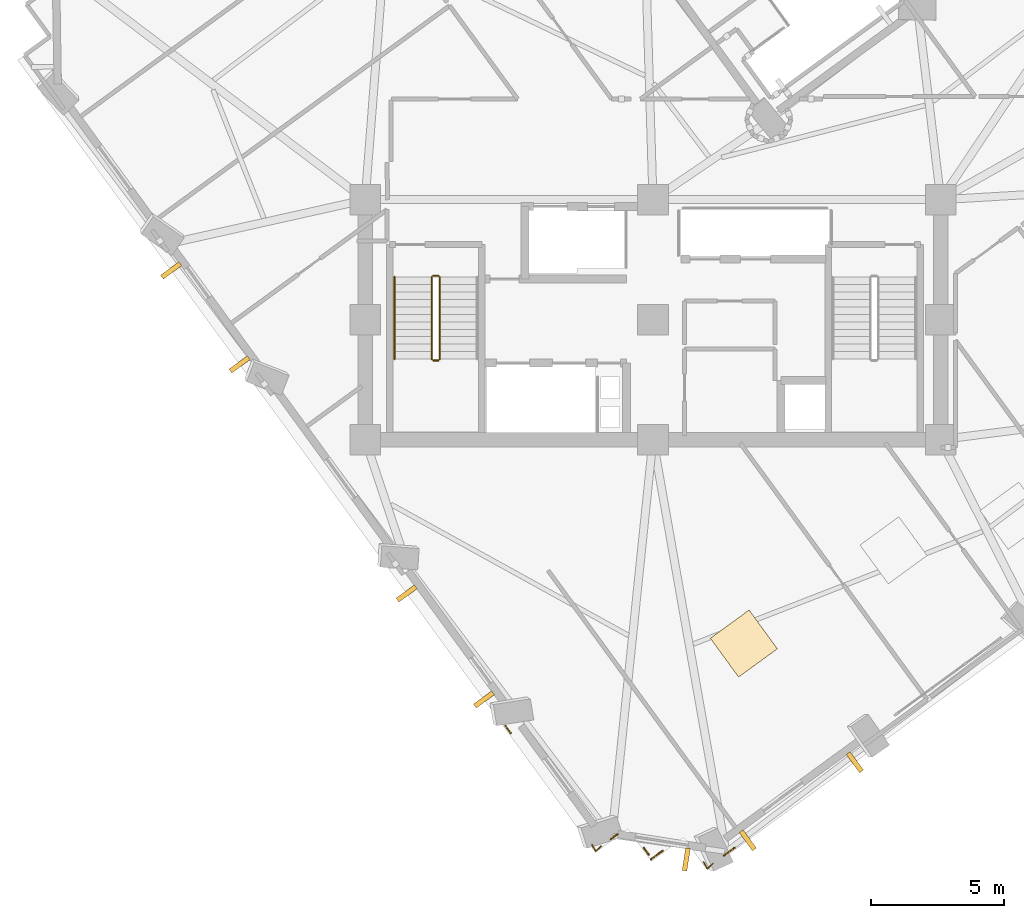
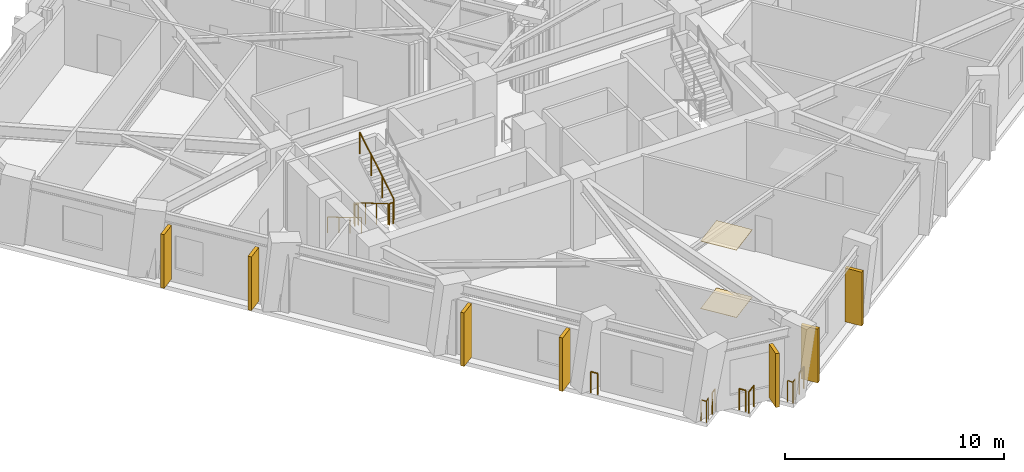
# One storey, part 10 of 14: 12 railings, 7 shading devices, 2 coverings.
"""IFC4 building model written with IfcOpenShell, lengths in metres."""

from ifc_helpers import new_model, si_unit, direction, frame, origin, origin_2d, place, context, subcontext, project, spatial, rectangle, circle, extrude, material, layer, layer_set, type_object, element, save


model = new_model("IFC4")

# Units and contexts
model_context = context("Model", 3, precision=1e-05, world=origin(), true_north=direction((0.0, 1.0)))
body_context = subcontext(model_context, "Body", "Model", "MODEL_VIEW")
ifc_project = project(units=[si_unit("LENGTHUNIT", "METRE"), si_unit("AREAUNIT", "SQUARE_METRE"), si_unit("VOLUMEUNIT", "CUBIC_METRE"), si_unit("PLANEANGLEUNIT", "RADIAN"), si_unit("MASSUNIT", "GRAM", prefix="KILO")], contexts=[model_context])

# Site, building, storey
site_placement = place(None, origin())
site = spatial("IfcSite", under=ifc_project, at=site_placement, CompositionType="ELEMENT")
building_placement = place(site_placement, origin())
building = spatial("IfcBuilding", under=site, at=building_placement, Name="Gaonmaruhae Medical Tower", CompositionType="ELEMENT")
storey_placement = place(building_placement, frame((0.0, 0.0, 177.800048828125)))
storey = spatial("IfcBuildingStorey", under=building, at=storey_placement, Name="L42", CompositionType="ELEMENT", Elevation=177.800048828125)

# Coverings
ifc_material_1 = material(Name="Acoustic mineral ceiling tile", Category="finish")
ifc_layer_1 = layer(ifc_material_1, 0.02490234375)
ifc_layer_set_1 = layer_set([ifc_layer_1], Name="Acoustic mineral ceiling tile")
covering_type_1 = type_object("IfcCoveringType", Name="CLG-01 Antimicrobial Acoustic Mineral Ceiling", PredefinedType="CEILING", material=ifc_layer_set_1)
covering_1_placement = place(storey_placement, frame((28.210205078125, 0.1474609375, 3.7548828125), z_axis=(0.0, 0.0, 1.0), x_axis=(0.807989883898, 0.589196357353, 0.0)))
element("IfcCovering", 1, at=covering_1_placement, inside=storey, type_object=covering_type_1, Name="L42 Clinical Room Acoustic Ceiling 2", PredefinedType="CEILING", context=body_context, shape_type="SweptSolid", body=[
    extrude(rectangle(XDim=1.800048828125, YDim=1.800048828125, at=origin_2d()), origin(), (0.0, 0.0, 1.0), 0.02490234375),
])
ifc_material_2 = material(Name="Seamless clinical vinyl flooring", Category="finish")
ifc_layer_2 = layer(ifc_material_2, 0.014892578125)
ifc_layer_set_2 = layer_set([ifc_layer_2], Name="Seamless clinical vinyl flooring")
covering_type_2 = type_object("IfcCoveringType", Name="FLR-01 Seamless Clinical Antistatic Vinyl Flooring", PredefinedType="FLOORING", material=ifc_layer_set_2)
covering_2_placement = place(storey_placement, frame((28.210205078125, 0.1474609375, 0.0), z_axis=(0.0, 0.0, 1.0), x_axis=(0.807989883898, 0.589196357353, 0.0)))
element("IfcCovering", 2, at=covering_2_placement, inside=storey, type_object=covering_type_2, Name="L42 Clinical Room Vinyl Flooring 2", PredefinedType="FLOORING", context=body_context, shape_type="SweptSolid", body=[
    extrude(rectangle(XDim=1.800048828125, YDim=1.800048828125, at=origin_2d()), origin(), (0.0, 0.0, 1.0), 0.014892578125),
])

# Railings
ifc_material_3 = material(Name="Stainless steel 316L and laminated safety glass", Category="steel")
ifc_layer_3 = layer(ifc_material_3, 0.080078125)
ifc_layer_set_3 = layer_set([ifc_layer_3], Name="Stainless steel 316L and laminated safety glass")
railing_type_1 = type_object("IfcRailingType", Name="GD-120 Outdoor Terrace Safety Glass & Steel Balustrade", PredefinedType="BALUSTRADE", material=ifc_layer_set_3)
railing_1_placement = place(storey_placement, frame((27.871826171875, -7.508544921875, 0.0)))
element("IfcRailing", 3, at=railing_1_placement, inside=storey, type_object=railing_type_1, Name="L42 Perimeter Slab Edge Safety Balustrade 04", PredefinedType="BALUSTRADE", context=body_context, shape_type="SweptSolid", body=[
    extrude(circle(Radius=0.02392578125, at=origin_2d()), frame((0.0, 0.0, 1.17578125), z_axis=(-0.808002862963, -0.5891785582, 0.0), x_axis=(0.5891785582, -0.808002862963, 0.0)), (0.0, 0.0, 1.0), 0.518798828125),
    extrude(circle(Radius=0.02099609375, at=origin_2d()), origin(), (0.0, 0.0, 1.0), 1.15185546875),
    extrude(circle(Radius=0.02099609375, at=origin_2d()), frame((-0.419189453125, -0.3056640625, 0.0)), (0.0, 0.0, 1.0), 1.15185546875),
])
railing_2_placement = place(storey_placement, frame((25.16552734375, -7.62548828125, 0.0)))
element("IfcRailing", 4, at=railing_2_placement, inside=storey, type_object=railing_type_1, Name="L42 Perimeter Slab Edge Safety Balustrade 05", PredefinedType="BALUSTRADE", context=body_context, shape_type="SweptSolid", body=[
    extrude(circle(Radius=0.02392578125, at=origin_2d()), frame((0.0, 0.0, 1.17578125), z_axis=(-0.807830219692, -0.589415249338, 0.0), x_axis=(0.589415249338, -0.807830219692, 0.0)), (0.0, 0.0, 1.0), 0.56005859375),
    extrude(circle(Radius=0.02099609375, at=origin_2d()), origin(), (0.0, 0.0, 1.0), 1.15185546875),
    extrude(circle(Radius=0.02099609375, at=origin_2d()), frame((-0.452392578125, -0.330078125, 0.0)), (0.0, 0.0, 1.0), 1.15185546875),
])
railing_3_placement = place(storey_placement, frame((24.6455078125, -7.778076171875, 0.0)))
element("IfcRailing", 5, at=railing_3_placement, inside=storey, type_object=railing_type_1, Name="L42 Perimeter Slab Edge Safety Balustrade 06", PredefinedType="BALUSTRADE", context=body_context, shape_type="SweptSolid", body=[
    extrude(circle(Radius=0.02392578125, at=origin_2d()), frame((0.0, 0.0, 1.17578125), z_axis=(-0.589192471465, 0.807992717522, 0.0), x_axis=(-0.807992717522, -0.589192471465, 0.0)), (0.0, 0.0, 1.0), 0.326904296875),
    extrude(circle(Radius=0.02099609375, at=origin_2d()), origin(), (0.0, 0.0, 1.0), 1.15185546875),
    extrude(circle(Radius=0.02099609375, at=origin_2d()), frame((-0.192626953125, 0.26416015625, 0.0)), (0.0, 0.0, 1.0), 1.15185546875),
])
railing_4_placement = place(storey_placement, frame((23.473876953125, -7.002685546875, 0.0)))
element("IfcRailing", 6, at=railing_4_placement, inside=storey, type_object=railing_type_1, Name="L42 Perimeter Slab Edge Safety Balustrade 07", PredefinedType="BALUSTRADE", context=body_context, shape_type="SweptSolid", body=[
    extrude(circle(Radius=0.02392578125, at=origin_2d()), frame((0.0, 0.0, 1.17578125), z_axis=(-0.807733247181, -0.589548133234, 0.0), x_axis=(0.589548133234, -0.807733247181, 0.0)), (0.0, 0.0, 1.0), 0.32666015625),
    extrude(circle(Radius=0.02099609375, at=origin_2d()), origin(), (0.0, 0.0, 1.0), 1.15185546875),
    extrude(circle(Radius=0.02099609375, at=origin_2d()), frame((-0.263916015625, -0.192626953125, 0.0)), (0.0, 0.0, 1.0), 1.15185546875),
])
railing_5_placement = place(storey_placement, frame((19.46728515625, -3.22265625, 0.0)))
element("IfcRailing", 7, at=railing_5_placement, inside=storey, type_object=railing_type_1, Name="L42 Perimeter Slab Edge Safety Balustrade 08", PredefinedType="BALUSTRADE", context=body_context, shape_type="SweptSolid", body=[
    extrude(circle(Radius=0.02392578125, at=origin_2d()), frame((0.0, 0.0, 1.17578125), z_axis=(-0.589710020222, 0.807615064279, 0.0), x_axis=(-0.807615064279, -0.589710020222, 0.0)), (0.0, 0.0, 1.0), 0.339599609375),
    extrude(circle(Radius=0.02099609375, at=origin_2d()), origin(), (0.0, 0.0, 1.0), 1.15185546875),
    extrude(circle(Radius=0.02099609375, at=origin_2d()), frame((-0.2001953125, 0.274169921875, 0.0)), (0.0, 0.0, 1.0), 1.15185546875),
])
railing_6_placement = place(storey_placement, frame((27.05126953125, -8.10693359375, 0.0)))
element("IfcRailing", 8, at=railing_6_placement, inside=storey, type_object=railing_type_1, Name="L42 Perimeter Corner Safety Balustrade 13", PredefinedType="BALUSTRADE", context=body_context, shape_type="SweptSolid", body=[
    extrude(circle(Radius=0.02392578125, at=origin_2d()), frame((0.0, 0.0, 1.17578125), z_axis=(-0.730093572336, -0.683347185283, 0.0), x_axis=(0.683347185283, -0.730093572336, 0.0)), (0.0, 0.0, 1.0), 0.287353515625),
    extrude(circle(Radius=0.02392578125, at=origin_2d()), frame((-0.209716796875, -0.1962890625, 1.17578125), z_axis=(-0.486220207732, 0.873836317392, 0.0), x_axis=(-0.873836317392, -0.486220207732, 0.0)), (0.0, 0.0, 1.0), 0.287109375),
    extrude(circle(Radius=0.02099609375, at=origin_2d()), origin(), (0.0, 0.0, 1.0), 1.15185546875),
    extrude(circle(Radius=0.02099609375, at=origin_2d()), frame((-0.209716796875, -0.1962890625, 0.0)), (0.0, 0.0, 1.0), 1.15185546875),
    extrude(circle(Radius=0.02099609375, at=origin_2d()), frame((-0.349365234375, 0.0546875, 0.0)), (0.0, 0.0, 1.0), 1.15185546875),
])
railing_7_placement = place(storey_placement, frame((22.859619140625, -7.45068359375, 0.0)))
element("IfcRailing", 9, at=railing_7_placement, inside=storey, type_object=railing_type_1, Name="L42 Perimeter Corner Safety Balustrade 14", PredefinedType="BALUSTRADE", context=body_context, shape_type="SweptSolid", body=[
    extrude(circle(Radius=0.02392578125, at=origin_2d()), frame((0.0, 0.0, 1.17578125), z_axis=(-0.730120754726, -0.683318142243, 0.0), x_axis=(0.683318142243, -0.730120754726, 0.0)), (0.0, 0.0, 1.0), 0.286865234375),
    extrude(circle(Radius=0.02392578125, at=origin_2d()), frame((-0.20947265625, -0.196044921875, 1.17578125), z_axis=(-0.486581594932, 0.873635136355, 0.0), x_axis=(-0.873635136355, -0.486581594932, 0.0)), (0.0, 0.0, 1.0), 0.287109375),
    extrude(circle(Radius=0.02099609375, at=origin_2d()), origin(), (0.0, 0.0, 1.0), 1.15185546875),
    extrude(circle(Radius=0.02099609375, at=origin_2d()), frame((-0.20947265625, -0.196044921875, 0.0)), (0.0, 0.0, 1.0), 1.15185546875),
    extrude(circle(Radius=0.02099609375, at=origin_2d()), frame((-0.34912109375, 0.0546875, 0.0)), (0.0, 0.0, 1.0), 1.15185546875),
])
ifc_material_4 = material(Name="Stainless steel 304 handrail", Category="steel")
railing_type_2 = type_object("IfcRailingType", Name="HR-092 Continuous Stainless Steel Stair Handrail", PredefinedType="HANDRAIL", material=ifc_material_4)
railing_8_placement = place(storey_placement, frame((15.10009765625, 13.89990234375, 0.16650390625)))
element("IfcRailing", 10, at=railing_8_placement, inside=storey, type_object=railing_type_2, Name="L42 ST-01 stair handrail 1", PredefinedType="HANDRAIL", context=body_context, shape_type="SweptSolid", body=[
    extrude(circle(Radius=0.02392578125, at=origin_2d()), frame((0.0, 0.0, 0.8759765625), z_axis=(0.0, -0.859260807169, 0.511537745687), x_axis=(1.0, 0.0, 0.0)), (0.0, 0.0, 1.0), 3.584228515625),
    extrude(circle(Radius=0.02099609375, at=origin_2d()), origin(), (0.0, 0.0, 1.0), 0.851806640625),
    extrude(circle(Radius=0.02099609375, at=origin_2d()), frame((0.0, -1.026611328125, 0.611083984375)), (0.0, 0.0, 1.0), 0.851806640625),
    extrude(circle(Radius=0.02099609375, at=origin_2d()), frame((0.0, -2.05322265625, 1.222412109375)), (0.0, 0.0, 1.0), 0.851806640625),
    extrude(circle(Radius=0.02099609375, at=origin_2d()), frame((0.0, -3.079833984375, 1.83349609375)), (0.0, 0.0, 1.0), 0.851806640625),
])

# Shading devices
ifc_material_5 = material(Name="Pigmented coral precast concrete C45/55", Category="concrete")
shading_device_type = type_object("IfcShadingDeviceType", Name="SD-FIN1 Tower Vertical Coral Precast Shading Fin", PredefinedType="USERDEFINED", material=ifc_material_5)
for number, where, z_axis, x_axis, name in (
    (11, (32.373779296875, -4.30615234375, 0.132568359375), (0.0, 0.0, 1.0), (-0.807989883898, -0.589196357353, 0.0), "L42 Vertical Coral Precast Shading Fin S01"),
    (12, (28.35791015625, -7.234619140625, 0.132568359375), (0.0, 0.0, 1.0), (-0.807989883898, -0.589196357353, 0.0), "L42 Vertical Coral Precast Shading Fin S01B"),
    (13, (9.290283203125, 10.623046875, 0.132568359375), (0.0, 0.0, 1.0), (-0.589196357353, 0.807989883898, 0.0), "L42 Vertical Coral Precast Shading Fin W02"),
    (14, (6.72021484375, 14.147705078125, 0.132568359375), (0.0, 0.0, 1.0), (-0.589196357353, 0.807989883898, 0.0), "L42 Vertical Coral Precast Shading Fin W02B"),
):
    element("IfcShadingDevice", number, at=place(storey_placement, frame(where, z_axis=z_axis, x_axis=x_axis)), inside=storey, type_object=shading_device_type, Name=name, ObjectType="FIN", PredefinedType="USERDEFINED", context=body_context, shape_type="SweptSolid", body=[
        extrude(rectangle(XDim=0.179931640625, YDim=0.85009765625, at=origin_2d()), origin(), (0.0, 0.0, 1.0), 3.0),
    ])
for number, where, z_axis, x_axis, name in (
    (15, (18.45947265625, -1.950927734375, 0.0400390625), (0.0, 0.0, 1.0), (-0.589196357353, 0.807989883898, 0.0), "L42 Vertical Coral Precast Shading Fin W04"),
    (16, (15.55859375, 2.027099609375, 0.0400390625), (0.0, 0.0, 1.0), (-0.589196357353, 0.807989883898, 0.0), "L42 Vertical Coral Precast Shading Fin W04B"),
):
    element("IfcShadingDevice", number, at=place(storey_placement, frame(where, z_axis=z_axis, x_axis=x_axis)), inside=storey, type_object=shading_device_type, Name=name, ObjectType="FIN", PredefinedType="USERDEFINED", context=body_context, shape_type="SweptSolid", body=[
        extrude(rectangle(XDim=0.179931640625, YDim=0.85009765625, at=origin_2d()), origin(), (0.0, 0.0, 1.0), 2.985107421875),
    ])
shading_device_placement = place(storey_placement, frame((26.04833984375, -7.95751953125, 0.132568359375), z_axis=(0.0, 0.0, 1.0), x_axis=(-0.987965265579, 0.1546758999, 0.0)))
element("IfcShadingDevice", 17, at=shading_device_placement, inside=storey, type_object=shading_device_type, Name="L42 Vertical Coral Precast Shading Fin W06", ObjectType="FIN", PredefinedType="USERDEFINED", context=body_context, shape_type="SweptSolid", body=[
    extrude(rectangle(XDim=0.179931640625, YDim=0.85009765625, at=origin_2d()), origin(), (0.0, 0.0, 1.0), 3.0),
])

# Railings
ifc_material_6 = material(Name="Stainless steel 304 balustrade", Category="steel")
railing_type_3 = type_object("IfcRailingType", Name="SG-112 Stair Well & Ramp Void Safety Balustrade", PredefinedType="BALUSTRADE", material=ifc_material_6)
railing_9_placement = place(storey_placement, frame((16.5, 13.89990234375, 0.16650390625)))
element("IfcRailing", 18, at=railing_9_placement, inside=storey, type_object=railing_type_3, Name="L42 ST-01 stair guard 1", PredefinedType="BALUSTRADE", context=body_context, shape_type="SweptSolid", body=[
    extrude(circle(Radius=0.02392578125, at=origin_2d()), frame((0.0, 0.0, 1.17578125), z_axis=(0.0, -0.859260807169, 0.511537745687), x_axis=(1.0, 0.0, 0.0)), (0.0, 0.0, 1.0), 3.584228515625),
    extrude(circle(Radius=0.02099609375, at=origin_2d()), origin(), (0.0, 0.0, 1.0), 1.15185546875),
    extrude(circle(Radius=0.02099609375, at=origin_2d()), frame((0.0, -1.026611328125, 0.611083984375)), (0.0, 0.0, 1.0), 1.15185546875),
    extrude(circle(Radius=0.02099609375, at=origin_2d()), frame((0.0, -2.05322265625, 1.222412109375)), (0.0, 0.0, 1.0), 1.15185546875),
    extrude(circle(Radius=0.02099609375, at=origin_2d()), frame((0.0, -3.079833984375, 1.83349609375)), (0.0, 0.0, 1.0), 1.15185546875),
])
railing_10_placement = place(storey_placement, frame((16.550048828125, 10.77001953125, 2.0)))
element("IfcRailing", 19, at=railing_10_placement, inside=storey, type_object=railing_type_3, Name="L42 ST-01 stair guard 2", PredefinedType="BALUSTRADE", context=body_context, shape_type="SweptSolid", body=[
    extrude(circle(Radius=0.02392578125, at=origin_2d()), frame((0.0, 0.0, 1.17578125), z_axis=(1.0, 0.0, 0.0), x_axis=(0.0, 1.0, 0.0)), (0.0, 0.0, 1.0), 0.199951171875),
    extrude(circle(Radius=0.02099609375, at=origin_2d()), origin(), (0.0, 0.0, 1.0), 1.15185546875),
    extrude(circle(Radius=0.02099609375, at=origin_2d()), frame((0.199951171875, 0.0, 0.0)), (0.0, 0.0, 1.0), 1.15185546875),
])
railing_11_placement = place(storey_placement, frame((16.800048828125, 10.820068359375, 2.16650390625)))
element("IfcRailing", 20, at=railing_11_placement, inside=storey, type_object=railing_type_3, Name="L42 ST-01 stair guard 3", PredefinedType="BALUSTRADE", context=body_context, shape_type="SweptSolid", body=[
    extrude(circle(Radius=0.02392578125, at=origin_2d()), frame((0.0, 0.0, 1.17578125), z_axis=(0.0, 0.859260807169, 0.511537745687), x_axis=(-1.0, 0.0, 0.0)), (0.0, 0.0, 1.0), 3.584228515625),
    extrude(circle(Radius=0.02099609375, at=origin_2d()), origin(), (0.0, 0.0, 1.0), 1.15185546875),
    extrude(circle(Radius=0.02099609375, at=origin_2d()), frame((0.0, 1.026611328125, 0.611083984375)), (0.0, 0.0, 1.0), 1.15185546875),
    extrude(circle(Radius=0.02099609375, at=origin_2d()), frame((0.0, 2.05322265625, 1.222412109375)), (0.0, 0.0, 1.0), 1.15185546875),
    extrude(circle(Radius=0.02099609375, at=origin_2d()), frame((0.0, 3.079833984375, 1.83349609375)), (0.0, 0.0, 1.0), 1.15185546875),
])
railing_12_placement = place(storey_placement, frame((16.550048828125, 13.949951171875, 0.0)))
element("IfcRailing", 21, at=railing_12_placement, inside=storey, type_object=railing_type_3, Name="L42 ST-01 stair guard 4", PredefinedType="BALUSTRADE", context=body_context, shape_type="SweptSolid", body=[
    extrude(circle(Radius=0.02392578125, at=origin_2d()), frame((0.0, 0.0, 1.17578125), z_axis=(1.0, 0.0, 0.0), x_axis=(0.0, 1.0, 0.0)), (0.0, 0.0, 1.0), 0.199951171875),
    extrude(circle(Radius=0.02099609375, at=origin_2d()), origin(), (0.0, 0.0, 1.0), 1.15185546875),
    extrude(circle(Radius=0.02099609375, at=origin_2d()), frame((0.199951171875, 0.0, 0.0)), (0.0, 0.0, 1.0), 1.15185546875),
])

save(model, "model.ifc")
